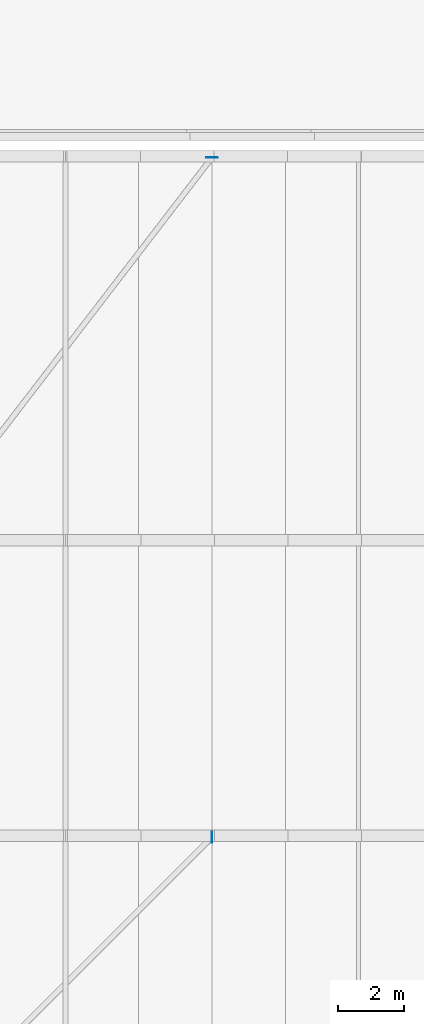
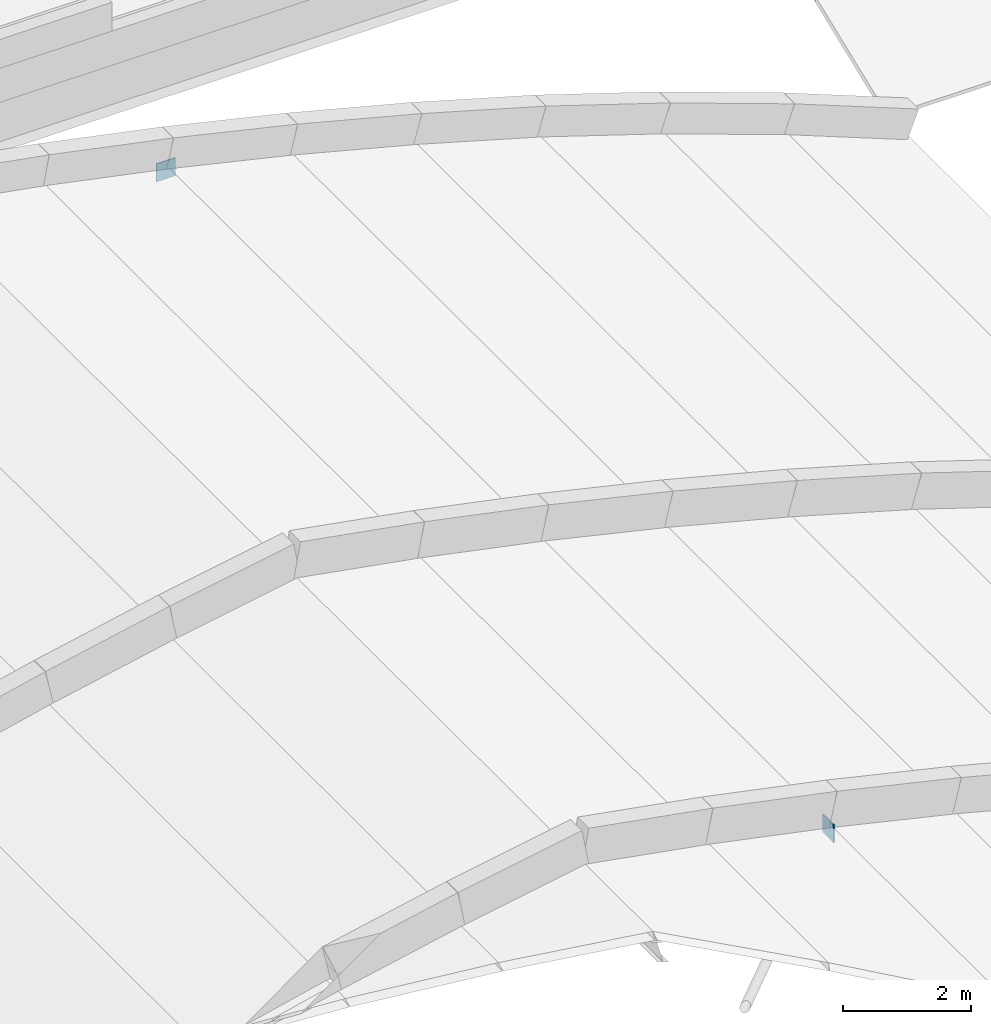
# One storey, part 52 of 56: 2 plates.
"""IFC4 building model written with IfcOpenShell, lengths in metres."""

import ifcopenshell
import ifcopenshell.guid

model = None  # the IFC model being written
_history = None  # IfcOwnerHistory: only IFC2X3 demands one
_inside = {}  # id of a spatial element -> (the spatial element, [elements in it])
_under = {}  # id of a project, library or spatial element -> (it, [spatial elements below it])
_declared = {}  # id of a project -> (the project, [libraries it declares])
_typed = {}  # id of a type object -> (the type object, [elements of that type])
_made_of = {}  # id of a material, layer set ... -> (it, [elements and type objects made of it])


def new_model(schema):
    """Start an empty IFC model of exactly this schema.

    Asked for "IFC4X3", IfcOpenShell would pick the latest addendum, in which some entities
    have other attributes; the version numbers below select the first issue.
    IFC2X3 requires an IfcOwnerHistory on every rooted entity: one is made here for all.
    """
    global model, _history
    if schema == "IFC4X3":
        model = ifcopenshell.file(schema_version=(4, 3, 0, 0))
    else:
        model = ifcopenshell.file(schema=schema)
    _inside.clear()
    _under.clear()
    _declared.clear()
    _typed.clear()
    _made_of.clear()
    _history = None
    if model.schema == "IFC2X3":
        org = make("IfcOrganization", Name="unknown")
        user = make(
            "IfcPersonAndOrganization",
            ThePerson=make("IfcPerson", FamilyName="unknown"),
            TheOrganization=org,
        )
        app = make(
            "IfcApplication",
            ApplicationDeveloper=org,
            Version="unknown",
            ApplicationFullName="unknown",
            ApplicationIdentifier="unknown",
        )
        _history = make(
            "IfcOwnerHistory",
            OwningUser=user,
            OwningApplication=app,
            ChangeAction="ADDED",
            CreationDate=0,
        )
    return model


def make(cls, **values):
    """One entity of the class cls with the attributes given. An attribute that is None is left unset."""
    return model.create_entity(
        cls, **{name: value for name, value in values.items() if value is not None}
    )


def rooted(cls, **values):
    """An entity with a GlobalId (a new one), such as an element, a storey or a relation."""
    return make(cls, GlobalId=ifcopenshell.guid.new(), OwnerHistory=_history, **values)


def si_unit(unit_type, name, prefix=None):
    """IfcSIUnit, for example si_unit("LENGTHUNIT", "METRE", prefix="MILLI")."""
    return make("IfcSIUnit", UnitType=unit_type, Prefix=prefix, Name=name)


def assignment(units):
    """IfcUnitAssignment: the units of a project."""
    return None if units is None else make("IfcUnitAssignment", Units=units)


def point(xyz):
    """IfcCartesianPoint."""
    return None if xyz is None else make("IfcCartesianPoint", Coordinates=xyz)


def direction(xyz):
    """IfcDirection."""
    return None if xyz is None else make("IfcDirection", DirectionRatios=xyz)


def frame(location, z_axis=None, x_axis=None):
    """IfcAxis2Placement3D, a coordinate frame: its origin and axes. An axis left out is left unset."""
    return make(
        "IfcAxis2Placement3D",
        Location=point(location),
        Axis=direction(z_axis),
        RefDirection=direction(x_axis),
    )


def frame_2d(location, x_axis=None):
    """IfcAxis2Placement2D, a coordinate frame in the plane: its origin and x axis."""
    return make(
        "IfcAxis2Placement2D", Location=point(location), RefDirection=direction(x_axis)
    )


def origin():
    """The frame at (0, 0, 0) with its axes left unset."""
    return frame((0.0, 0.0, 0.0))


def origin_2d():
    """The frame at (0, 0) in the plane with its x axis left unset."""
    return frame_2d((0.0, 0.0))


def place(relative_to, where):
    """IfcLocalPlacement: puts the frame where relative to a parent placement (None: the world)."""
    return make(
        "IfcLocalPlacement", PlacementRelTo=relative_to, RelativePlacement=where
    )


def context(
    kind, dimensions, precision=None, world=None, true_north=None, identifier=None
):
    """IfcGeometricRepresentationContext, for example the 3D "Model" context."""
    return make(
        "IfcGeometricRepresentationContext",
        ContextIdentifier=identifier,
        ContextType=kind,
        CoordinateSpaceDimension=dimensions,
        Precision=precision,
        WorldCoordinateSystem=world,
        TrueNorth=true_north,
    )


def subcontext(parent, identifier, kind, view, scale=None):
    """IfcGeometricRepresentationSubContext, for example "Body" below "Model"."""
    return make(
        "IfcGeometricRepresentationSubContext",
        ContextIdentifier=identifier,
        ContextType=kind,
        ParentContext=parent,
        TargetScale=scale,
        TargetView=view,
    )


def project(units=None, contexts=None):
    """IfcProject with its units and contexts."""
    return rooted(
        "IfcProject",
        Name="project",
        RepresentationContexts=contexts,
        UnitsInContext=assignment(units),
    )


def spatial(cls, under=None, at=None, **own):
    """A site, building, storey or space (cls), placed at a placement, below another one or the project."""
    s = rooted(cls, ObjectPlacement=at, **own)
    if under is not None:
        _under.setdefault(under.id(), (under, []))[1].append(s)
    return s


def profile(cls, at=None, kind="AREA", **sizes):
    """A parametric profile (cls). Its sizes go by their IFC names, for example OverallWidth=200.0."""
    return make(cls, ProfileType=kind, Position=at, **sizes)


def rectangle(**sizes):
    """IfcRectangleProfileDef."""
    return profile("IfcRectangleProfileDef", **sizes)


def extrude(swept, where, along, depth):
    """IfcExtrudedAreaSolid: the profile swept, set in the frame where, extruded along a direction by depth."""
    return make(
        "IfcExtrudedAreaSolid",
        SweptArea=swept,
        Position=where,
        ExtrudedDirection=direction(along),
        Depth=depth,
    )


def shape(context_of_items, identifier, shape_type, items):
    """IfcShapeRepresentation: the items that make up one representation, for example the "Body"."""
    return make(
        "IfcShapeRepresentation",
        ContextOfItems=context_of_items,
        RepresentationIdentifier=identifier,
        RepresentationType=shape_type,
        Items=items,
    )


def material(Name=None, Category=None):
    """IfcMaterial."""
    return make("IfcMaterial", Name=Name, Category=Category)


def layer(
    of_material, thickness, ventilated=None, Name=None, Category=None, Priority=None
):
    """IfcMaterialLayer: one layer of a wall or slab, of a material (None: an air gap)."""
    return make(
        "IfcMaterialLayer",
        Material=of_material,
        LayerThickness=thickness,
        IsVentilated=ventilated,
        Name=Name,
        Category=Category,
        Priority=Priority,
    )


def layer_set(layers, Name=None):
    """IfcMaterialLayerSet."""
    return make("IfcMaterialLayerSet", MaterialLayers=layers, LayerSetName=Name)


def made_of(thing, what):
    """Note that an element or type object is made of a material, layer set ...; save() writes the relation."""
    if what is not None:
        _made_of.setdefault(what.id(), (what, []))[1].append(thing)
    return thing


def type_object(cls, material=None, **own):
    """A type object (cls), such as IfcWallType, which elements share."""
    return made_of(rooted(cls, **own), material)


def element(
    cls,
    number,
    at=None,
    inside=None,
    cuts=None,
    type_object=None,
    material=None,
    context=None,
    identifier="Body",
    shape_type=None,
    held_by="IfcProductDefinitionShape",
    body=None,
    shapes=None,
    **own,
):
    """One element of the class cls, such as IfcWall. Its Tag is "e" and its number.

    at: its placement. inside: the storey or other place that contains it. cuts: it is an
    opening in that element (IfcRelVoidsElement). A single representation is given by context,
    identifier, shape_type and body (its items); several are given by shapes. held_by: the class
    of the entity that holds the representations. save() writes the other relations.
    """
    e = rooted(cls, Tag="e%d" % number, ObjectPlacement=at, **own)
    if body is not None:
        shapes = [shape(context, identifier, shape_type, body)]
    if shapes is not None:
        e.Representation = make(held_by, Representations=shapes)
    if inside is not None:
        _inside.setdefault(inside.id(), (inside, []))[1].append(e)
    if cuts is not None:
        rooted(
            "IfcRelVoidsElement", RelatingBuildingElement=cuts, RelatedOpeningElement=e
        )
    if type_object is not None:
        _typed.setdefault(type_object.id(), (type_object, []))[1].append(e)
    return made_of(e, material)


def aggregate(whole, parts):
    """IfcRelAggregates: a whole, such as a stair, and the parts it consists of."""
    return rooted("IfcRelAggregates", RelatingObject=whole, RelatedObjects=parts)


def save(model, path):
    """Write the relations noted so far, then the file.

    IfcRelAggregates (storeys below a building ...), IfcRelContainedInSpatialStructure (elements
    in a storey), IfcRelDefinesByType, IfcRelAssociatesMaterial and IfcRelDeclares: one each for
    every whole, place, type object, material and project.
    """
    for whole, parts in _under.values():
        aggregate(whole, parts)
    for where, things in _inside.values():
        rooted(
            "IfcRelContainedInSpatialStructure",
            RelatedElements=things,
            RelatingStructure=where,
        )
    for kind, things in _typed.values():
        rooted("IfcRelDefinesByType", RelatedObjects=things, RelatingType=kind)
    for what, things in _made_of.values():
        rooted("IfcRelAssociatesMaterial", RelatedObjects=things, RelatingMaterial=what)
    for by, libraries in _declared.values():
        rooted("IfcRelDeclares", RelatingContext=by, RelatedDefinitions=libraries)
    model.write(path)


model = new_model("IFC4")

# Units and contexts
model_context = context("Model", 3, precision=1e-05, world=origin(), true_north=direction((0.0, 1.0)))
body_context = subcontext(model_context, "Body", "Model", "MODEL_VIEW")
ifc_project = project(units=[si_unit("LENGTHUNIT", "METRE"), si_unit("AREAUNIT", "SQUARE_METRE"), si_unit("VOLUMEUNIT", "CUBIC_METRE"), si_unit("PLANEANGLEUNIT", "RADIAN"), si_unit("MASSUNIT", "GRAM", prefix="KILO")], contexts=[model_context])

# Site, building, storey
site_placement = place(None, origin())
site = spatial("IfcSite", under=ifc_project, at=site_placement, CompositionType="ELEMENT")
building_placement = place(site_placement, origin())
building = spatial("IfcBuilding", under=site, at=building_placement, Name="Zacnel Wholesale Market", CompositionType="ELEMENT")
storey_placement = place(building_placement, frame((0.0, 0.0, 20.300048828125)))
storey = spatial("IfcBuildingStorey", under=building, at=storey_placement, Name="RF", CompositionType="ELEMENT", Elevation=20.300048828125)

# Plates
ifc_material = material(Name="Steel S355", Category="steel")
ifc_layer = layer(ifc_material, 0.02392578125)
ifc_layer_set = layer_set([ifc_layer], Name="Steel S355")
plate_type = type_object("IfcPlateType", Name="PLT-GUS-340X24", PredefinedType="SHEET", material=ifc_layer_set)
for number, where, z_axis, x_axis, name in (
    (1, (166.612548828125, 74.9599609375, -5.22998046875), (0.0, 0.0, 1.0), (0.0, 1.0, 0.0), "Shell diaphragm brace end plate 015-B"),
    (2, (166.612548828125, 95.659912109375, -5.22998046875), (0.0, 0.0, 1.0), (1.0, 0.0, 0.0), "Shell diaphragm brace end plate 017-B"),
):
    element("IfcPlate", number, at=place(storey_placement, frame(where, z_axis=z_axis, x_axis=x_axis)), inside=storey, type_object=plate_type, Name=name, PredefinedType="SHEET", context=body_context, shape_type="SweptSolid", body=[
        extrude(rectangle(XDim=0.340087890625, YDim=0.02392578125, at=origin_2d()), origin(), (0.0, 0.0, 1.0), 0.340087890625),
    ])

save(model, "model.ifc")
